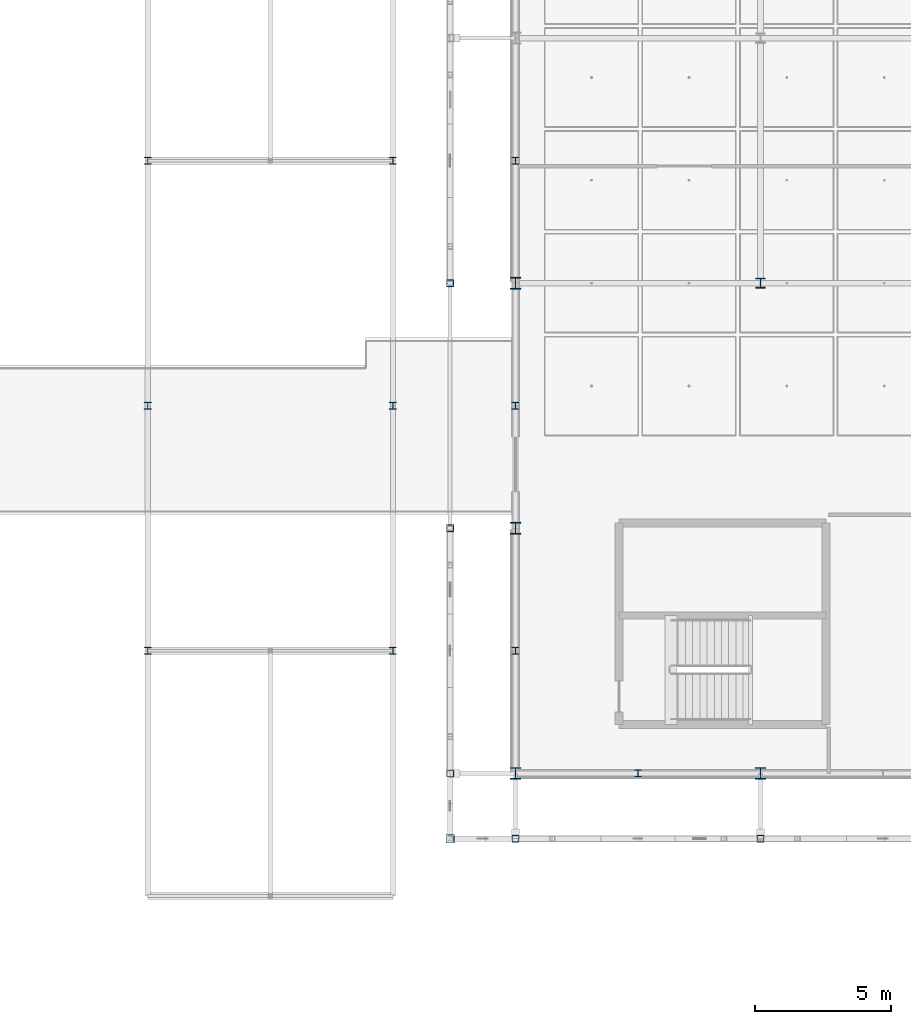
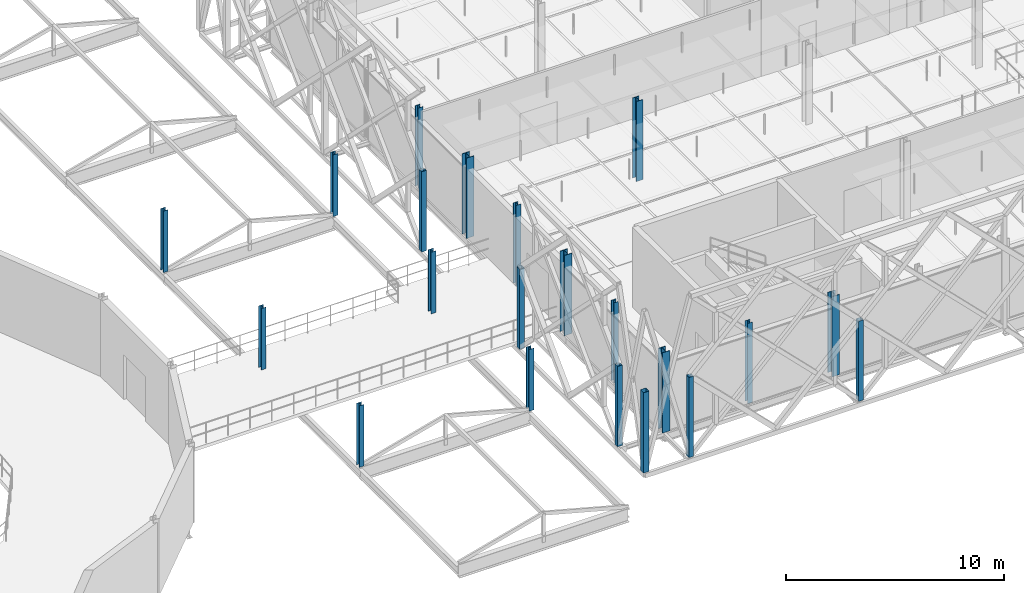
# One storey, part 2 of 140: 21 columns.
"""IFC4 building model written with IfcOpenShell, lengths in metres."""

from ifc_helpers import new_model, si_unit, direction, frame, origin, origin_2d, place, context, subcontext, project, spatial, hollow_rectangle, i_section, extrude, material, material_profile, profile_set, type_object, element, save


model = new_model("IFC4")

# Units and contexts
model_context = context("Model", 3, precision=1e-05, world=origin(), true_north=direction((0.0, 1.0)))
body_context = subcontext(model_context, "Body", "Model", "MODEL_VIEW")
ifc_project = project(units=[si_unit("LENGTHUNIT", "METRE"), si_unit("AREAUNIT", "SQUARE_METRE"), si_unit("VOLUMEUNIT", "CUBIC_METRE"), si_unit("PLANEANGLEUNIT", "RADIAN"), si_unit("MASSUNIT", "GRAM", prefix="KILO"), si_unit("THERMODYNAMICTEMPERATUREUNIT", "KELVIN"), si_unit("POWERUNIT", "WATT")], contexts=[model_context])

# Site, building, storey
site_placement = place(None, origin())
site = spatial("IfcSite", under=ifc_project, at=site_placement, CompositionType="ELEMENT")
building_placement = place(site_placement, origin())
building = spatial("IfcBuilding", under=site, at=building_placement, Name="Tallowbark Science Centre", CompositionType="ELEMENT")
storey_placement = place(building_placement, frame((0.0, 0.0, 9.89990234375)))
storey = spatial("IfcBuildingStorey", under=building, at=storey_placement, Name="L02", CompositionType="ELEMENT", Elevation=9.89990234375)

# Columns
ifc_material_1 = material(Name="White Architectural Painted Steel Grade C350L0 (350 MPa)", Category="steel")
ifc_material_profile_1 = material_profile(ifc_material_1, hollow_rectangle(XDim=0.25, YDim=0.25, WallThickness=0.009033203125, at=origin_2d()), Name="250x250x9.0SHS")
ifc_profile_set_1 = profile_set([ifc_material_profile_1], Name="White Architectural Painted Steel Grade C350L0 (350 MPa)")
column_type_1 = type_object("IfcColumnType", Name="COL-SCR200", PredefinedType="COLUMN", material=ifc_profile_set_1)
for number, where, z_axis, x_axis, name in (
    (1, (58.5, 2.10009765625, 0.0), (0.0, 0.0, 1.0), (1.0, 0.0, 0.0), "Column SCR-S01 L02"),
    (2, (67.5, 2.10009765625, 0.0), (0.0, 0.0, 1.0), (1.0, 0.0, 0.0), "Column SCR-S02 L02"),
    (3, (56.10009765625, 4.5, 0.0), (0.0, 0.0, 1.0), (1.0, 0.0, 0.0), "Column SCR-W01 L02"),
    (4, (56.10009765625, 13.5, 0.0), (0.0, 0.0, 1.0), (1.0, 0.0, 0.0), "Column SCR-W02 L02"),
    (5, (56.10009765625, 22.5, 0.0), (0.0, 0.0, 1.0), (1.0, 0.0, 0.0), "Column SCR-W03 L02"),
):
    element("IfcColumn", number, at=place(storey_placement, frame(where, z_axis=z_axis, x_axis=x_axis)), inside=storey, type_object=column_type_1, Name=name, PredefinedType="COLUMN", context=body_context, shape_type="SweptSolid", body=[
        extrude(hollow_rectangle(XDim=0.25, YDim=0.25, WallThickness=0.009033203125, at=origin_2d()), origin(), (0.0, 0.0, 1.0), 4.5),
    ])
ifc_material_profile_2 = material_profile(ifc_material_1, hollow_rectangle(XDim=0.300048828125, YDim=0.300048828125, WallThickness=0.010009765625, at=origin_2d()), Name="300x300x10.0SHS")
ifc_profile_set_2 = profile_set([ifc_material_profile_2], Name="White Architectural Painted Steel Grade C350L0 (350 MPa)")
column_type_2 = type_object("IfcColumnType", Name="COL-SCR300", PredefinedType="COLUMN", material=ifc_profile_set_2)
column_1_placement = place(storey_placement, frame((56.10009765625, 2.10009765625, 0.0), z_axis=(0.0, 0.0, 1.0), x_axis=(1.0, 0.0, 0.0)))
element("IfcColumn", 6, at=column_1_placement, inside=storey, type_object=column_type_2, Name="Column SCR-S00 L02", PredefinedType="COLUMN", context=body_context, shape_type="SweptSolid", body=[
    extrude(hollow_rectangle(XDim=0.300048828125, YDim=0.300048828125, WallThickness=0.010009765625, at=origin_2d()), origin(), (0.0, 0.0, 1.0), 4.5),
])
ifc_material_2 = material(Name="Structural Steel Grade 300PLUS (300 MPa)", Category="steel")
ifc_material_profile_3 = material_profile(ifc_material_2, i_section(OverallWidth=0.256103515625, OverallDepth=0.260009765625, WebThickness=0.010498046875, FlangeThickness=0.017333984375, FilletRadius=0.013916015625, at=origin_2d()), Name="250UC89.5")
ifc_profile_set_3 = profile_set([ifc_material_profile_3], Name="Structural Steel Grade 300PLUS (300 MPa)")
column_type_3 = type_object("IfcColumnType", Name="COL-UC250A", PredefinedType="COLUMN", material=ifc_profile_set_3)
for number, where, z_axis, x_axis, name in (
    (7, (45.0, 9.0, 0.0), (0.0, 0.0, 1.0), (1.0, 0.0, 0.0), "Column PAS-W01 L02"),
    (8, (54.0, 9.0, 0.0), (0.0, 0.0, 1.0), (1.0, 0.0, 0.0), "Column PAS-E01 L02"),
    (9, (45.0, 18.0, 0.0), (0.0, 0.0, 1.0), (1.0, 0.0, 0.0), "Column PAS-W02 L02"),
    (10, (54.0, 18.0, 0.0), (0.0, 0.0, 1.0), (1.0, 0.0, 0.0), "Column PAS-E02 L02"),
    (11, (45.0, 27.0, 0.0), (0.0, 0.0, 1.0), (1.0, 0.0, 0.0), "Column PAS-W03 L02"),
    (12, (54.0, 27.0, 0.0), (0.0, 0.0, 1.0), (1.0, 0.0, 0.0), "Column PAS-E03 L02"),
):
    element("IfcColumn", number, at=place(storey_placement, frame(where, z_axis=z_axis, x_axis=x_axis)), inside=storey, type_object=column_type_3, Name=name, PredefinedType="COLUMN", context=body_context, shape_type="SweptSolid", body=[
        extrude(i_section(OverallWidth=0.256103515625, OverallDepth=0.260009765625, WebThickness=0.010498046875, FlangeThickness=0.017333984375, FilletRadius=0.013916015625, at=origin_2d()), origin(), (0.0, 0.0, 1.0), 3.4501953125),
    ])
ifc_material_profile_4 = material_profile(ifc_material_2, i_section(OverallWidth=0.35009765625, OverallDepth=0.35888671875, WebThickness=0.01611328125, FlangeThickness=0.02392578125, FilletRadius=0.013916015625, at=origin_2d()), Name="350WC197")
ifc_profile_set_4 = profile_set([ifc_material_profile_4], Name="Structural Steel Grade 300PLUS (300 MPa)")
column_type_4 = type_object("IfcColumnType", Name="COL-WC350", PredefinedType="COLUMN", material=ifc_profile_set_4)
column_2_placement = place(storey_placement, frame((67.5, 22.5, 0.0), z_axis=(0.0, 0.0, 1.0), x_axis=(1.0, 0.0, 0.0)))
element("IfcColumn", 13, at=column_2_placement, inside=storey, type_object=column_type_4, Name="Column CUB-M1_2 L02", PredefinedType="COLUMN", context=body_context, shape_type="SweptSolid", body=[
    extrude(i_section(OverallWidth=0.35009765625, OverallDepth=0.35888671875, WebThickness=0.01611328125, FlangeThickness=0.02392578125, FilletRadius=0.013916015625, at=origin_2d()), origin(), (0.0, 0.0, 1.0), 4.5),
])
ifc_material_profile_5 = material_profile(ifc_material_2, i_section(OverallWidth=0.39990234375, OverallDepth=0.427978515625, WebThickness=0.02001953125, FlangeThickness=0.028076171875, FilletRadius=0.01611328125, at=origin_2d()), Name="400WC270")
ifc_profile_set_5 = profile_set([ifc_material_profile_5], Name="Structural Steel Grade 300PLUS (300 MPa)")
column_type_5 = type_object("IfcColumnType", Name="COL-WC400", PredefinedType="COLUMN", material=ifc_profile_set_5)
for number, where, z_axis, x_axis, name in (
    (14, (58.5, 4.5, 0.0), (0.0, 0.0, 1.0), (1.0, 0.0, 0.0), "Column CUB-M0_0 L02"),
    (15, (58.5, 13.5, 0.0), (0.0, 0.0, 1.0), (1.0, 0.0, 0.0), "Column CUB-M0_1 L02"),
    (16, (58.5, 22.5, 0.0), (0.0, 0.0, 1.0), (1.0, 0.0, 0.0), "Column CUB-M0_2 L02"),
    (17, (67.5, 4.5, 0.0), (0.0, 0.0, 1.0), (1.0, 0.0, 0.0), "Column CUB-M1_0 L02"),
):
    element("IfcColumn", number, at=place(storey_placement, frame(where, z_axis=z_axis, x_axis=x_axis)), inside=storey, type_object=column_type_5, Name=name, PredefinedType="COLUMN", context=body_context, shape_type="SweptSolid", body=[
        extrude(i_section(OverallWidth=0.39990234375, OverallDepth=0.427978515625, WebThickness=0.02001953125, FlangeThickness=0.028076171875, FilletRadius=0.01611328125, at=origin_2d()), origin(), (0.0, 0.0, 1.0), 4.5),
    ])
ifc_material_profile_6 = material_profile(ifc_material_2, i_section(OverallWidth=0.256103515625, OverallDepth=0.260009765625, WebThickness=0.010498046875, FlangeThickness=0.017333984375, FilletRadius=0.013916015625, at=origin_2d()), Name="250UC89.5")
ifc_profile_set_6 = profile_set([ifc_material_profile_6], Name="Structural Steel Grade 300PLUS (300 MPa)")
column_type_6 = type_object("IfcColumnType", Name="PIL-UC250", PredefinedType="PILASTER", material=ifc_profile_set_6)
for number, where, z_axis, x_axis, name in (
    (18, (63.0, 4.5, 0.0), (0.0, 0.0, 1.0), (1.0, 0.0, 0.0), "Column CUB-PS-0 L02"),
    (19, (58.5, 9.0, 0.0), (0.0, 0.0, 1.0), (1.0, 0.0, 0.0), "Column CUB-PW-0 L02"),
    (20, (58.5, 18.0, 0.0), (0.0, 0.0, 1.0), (1.0, 0.0, 0.0), "Column CUB-PW-1 L02"),
    (21, (58.5, 27.0, 0.0), (0.0, 0.0, 1.0), (1.0, 0.0, 0.0), "Column CUB-PW-2 L02"),
):
    element("IfcColumn", number, at=place(storey_placement, frame(where, z_axis=z_axis, x_axis=x_axis)), inside=storey, type_object=column_type_6, Name=name, PredefinedType="PILASTER", context=body_context, shape_type="SweptSolid", body=[
        extrude(i_section(OverallWidth=0.256103515625, OverallDepth=0.260009765625, WebThickness=0.010498046875, FlangeThickness=0.017333984375, FilletRadius=0.013916015625, at=origin_2d()), origin(), (0.0, 0.0, 1.0), 4.5),
    ])

save(model, "model.ifc")
